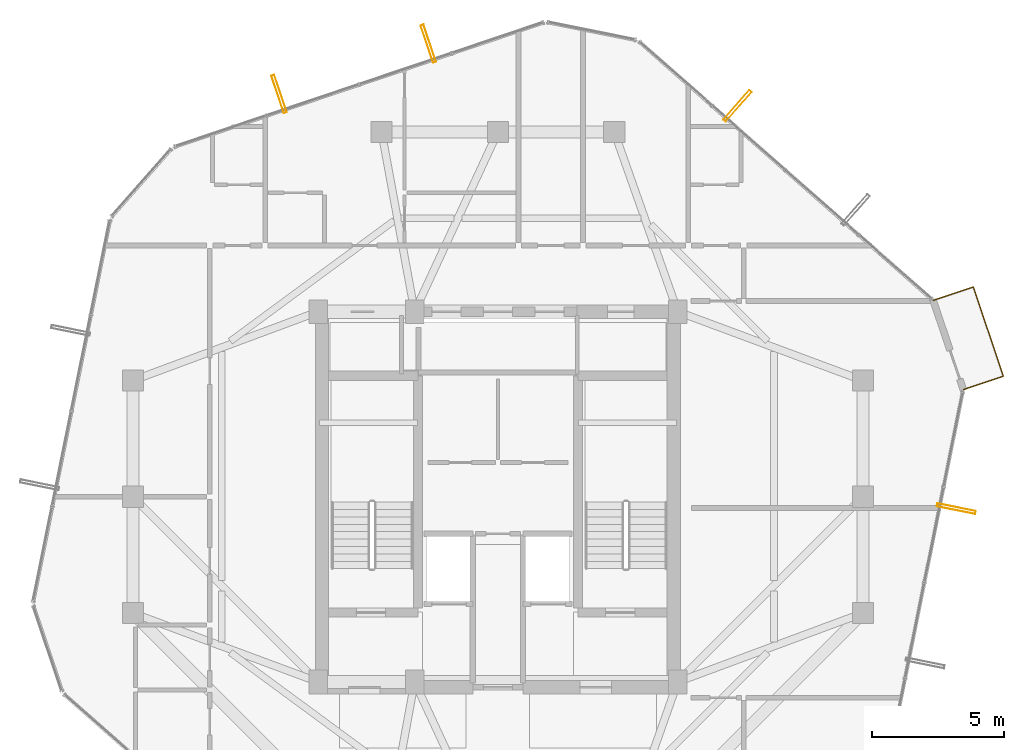
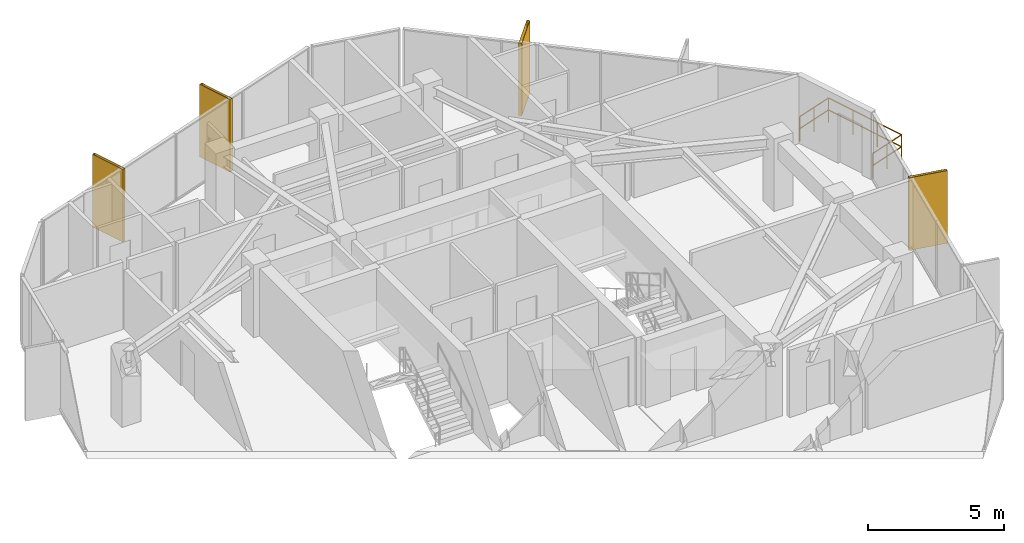
# One storey, part 28 of 28: 4 shading devices, 1 railing.
"""IFC4 building model written with IfcOpenShell, lengths in metres."""

import ifcopenshell
import ifcopenshell.guid

model = None  # the IFC model being written
_history = None  # IfcOwnerHistory: only IFC2X3 demands one
_inside = {}  # id of a spatial element -> (the spatial element, [elements in it])
_under = {}  # id of a project, library or spatial element -> (it, [spatial elements below it])
_declared = {}  # id of a project -> (the project, [libraries it declares])
_typed = {}  # id of a type object -> (the type object, [elements of that type])
_made_of = {}  # id of a material, layer set ... -> (it, [elements and type objects made of it])


def new_model(schema):
    """Start an empty IFC model of exactly this schema.

    Asked for "IFC4X3", IfcOpenShell would pick the latest addendum, in which some entities
    have other attributes; the version numbers below select the first issue.
    IFC2X3 requires an IfcOwnerHistory on every rooted entity: one is made here for all.
    """
    global model, _history
    if schema == "IFC4X3":
        model = ifcopenshell.file(schema_version=(4, 3, 0, 0))
    else:
        model = ifcopenshell.file(schema=schema)
    _inside.clear()
    _under.clear()
    _declared.clear()
    _typed.clear()
    _made_of.clear()
    _history = None
    if model.schema == "IFC2X3":
        org = make("IfcOrganization", Name="unknown")
        user = make(
            "IfcPersonAndOrganization",
            ThePerson=make("IfcPerson", FamilyName="unknown"),
            TheOrganization=org,
        )
        app = make(
            "IfcApplication",
            ApplicationDeveloper=org,
            Version="unknown",
            ApplicationFullName="unknown",
            ApplicationIdentifier="unknown",
        )
        _history = make(
            "IfcOwnerHistory",
            OwningUser=user,
            OwningApplication=app,
            ChangeAction="ADDED",
            CreationDate=0,
        )
    return model


def make(cls, **values):
    """One entity of the class cls with the attributes given. An attribute that is None is left unset."""
    return model.create_entity(
        cls, **{name: value for name, value in values.items() if value is not None}
    )


def rooted(cls, **values):
    """An entity with a GlobalId (a new one), such as an element, a storey or a relation."""
    return make(cls, GlobalId=ifcopenshell.guid.new(), OwnerHistory=_history, **values)


def si_unit(unit_type, name, prefix=None):
    """IfcSIUnit, for example si_unit("LENGTHUNIT", "METRE", prefix="MILLI")."""
    return make("IfcSIUnit", UnitType=unit_type, Prefix=prefix, Name=name)


def assignment(units):
    """IfcUnitAssignment: the units of a project."""
    return None if units is None else make("IfcUnitAssignment", Units=units)


def point(xyz):
    """IfcCartesianPoint."""
    return None if xyz is None else make("IfcCartesianPoint", Coordinates=xyz)


def direction(xyz):
    """IfcDirection."""
    return None if xyz is None else make("IfcDirection", DirectionRatios=xyz)


def frame(location, z_axis=None, x_axis=None):
    """IfcAxis2Placement3D, a coordinate frame: its origin and axes. An axis left out is left unset."""
    return make(
        "IfcAxis2Placement3D",
        Location=point(location),
        Axis=direction(z_axis),
        RefDirection=direction(x_axis),
    )


def frame_2d(location, x_axis=None):
    """IfcAxis2Placement2D, a coordinate frame in the plane: its origin and x axis."""
    return make(
        "IfcAxis2Placement2D", Location=point(location), RefDirection=direction(x_axis)
    )


def origin():
    """The frame at (0, 0, 0) with its axes left unset."""
    return frame((0.0, 0.0, 0.0))


def origin_2d():
    """The frame at (0, 0) in the plane with its x axis left unset."""
    return frame_2d((0.0, 0.0))


def place(relative_to, where):
    """IfcLocalPlacement: puts the frame where relative to a parent placement (None: the world)."""
    return make(
        "IfcLocalPlacement", PlacementRelTo=relative_to, RelativePlacement=where
    )


def context(
    kind, dimensions, precision=None, world=None, true_north=None, identifier=None
):
    """IfcGeometricRepresentationContext, for example the 3D "Model" context."""
    return make(
        "IfcGeometricRepresentationContext",
        ContextIdentifier=identifier,
        ContextType=kind,
        CoordinateSpaceDimension=dimensions,
        Precision=precision,
        WorldCoordinateSystem=world,
        TrueNorth=true_north,
    )


def subcontext(parent, identifier, kind, view, scale=None):
    """IfcGeometricRepresentationSubContext, for example "Body" below "Model"."""
    return make(
        "IfcGeometricRepresentationSubContext",
        ContextIdentifier=identifier,
        ContextType=kind,
        ParentContext=parent,
        TargetScale=scale,
        TargetView=view,
    )


def project(units=None, contexts=None):
    """IfcProject with its units and contexts."""
    return rooted(
        "IfcProject",
        Name="project",
        RepresentationContexts=contexts,
        UnitsInContext=assignment(units),
    )


def spatial(cls, under=None, at=None, **own):
    """A site, building, storey or space (cls), placed at a placement, below another one or the project."""
    s = rooted(cls, ObjectPlacement=at, **own)
    if under is not None:
        _under.setdefault(under.id(), (under, []))[1].append(s)
    return s


def profile(cls, at=None, kind="AREA", **sizes):
    """A parametric profile (cls). Its sizes go by their IFC names, for example OverallWidth=200.0."""
    return make(cls, ProfileType=kind, Position=at, **sizes)


def hollow_rectangle(**sizes):
    """IfcRectangleHollowProfileDef."""
    return profile("IfcRectangleHollowProfileDef", **sizes)


def circle(**sizes):
    """IfcCircleProfileDef."""
    return profile("IfcCircleProfileDef", **sizes)


def extrude(swept, where, along, depth):
    """IfcExtrudedAreaSolid: the profile swept, set in the frame where, extruded along a direction by depth."""
    return make(
        "IfcExtrudedAreaSolid",
        SweptArea=swept,
        Position=where,
        ExtrudedDirection=direction(along),
        Depth=depth,
    )


def shape(context_of_items, identifier, shape_type, items):
    """IfcShapeRepresentation: the items that make up one representation, for example the "Body"."""
    return make(
        "IfcShapeRepresentation",
        ContextOfItems=context_of_items,
        RepresentationIdentifier=identifier,
        RepresentationType=shape_type,
        Items=items,
    )


def material(Name=None, Category=None):
    """IfcMaterial."""
    return make("IfcMaterial", Name=Name, Category=Category)


def material_profile(
    of_material, cross_section, Name=None, Category=None, Priority=None
):
    """IfcMaterialProfile: a cross section and its material."""
    return make(
        "IfcMaterialProfile",
        Name=Name,
        Material=of_material,
        Profile=cross_section,
        Priority=Priority,
        Category=Category,
    )


def profile_set(profiles, Name=None, composite=None):
    """IfcMaterialProfileSet."""
    return make(
        "IfcMaterialProfileSet",
        Name=Name,
        MaterialProfiles=profiles,
        CompositeProfile=composite,
    )


def made_of(thing, what):
    """Note that an element or type object is made of a material, layer set ...; save() writes the relation."""
    if what is not None:
        _made_of.setdefault(what.id(), (what, []))[1].append(thing)
    return thing


def type_object(cls, material=None, **own):
    """A type object (cls), such as IfcWallType, which elements share."""
    return made_of(rooted(cls, **own), material)


def element(
    cls,
    number,
    at=None,
    inside=None,
    cuts=None,
    type_object=None,
    material=None,
    context=None,
    identifier="Body",
    shape_type=None,
    held_by="IfcProductDefinitionShape",
    body=None,
    shapes=None,
    **own,
):
    """One element of the class cls, such as IfcWall. Its Tag is "e" and its number.

    at: its placement. inside: the storey or other place that contains it. cuts: it is an
    opening in that element (IfcRelVoidsElement). A single representation is given by context,
    identifier, shape_type and body (its items); several are given by shapes. held_by: the class
    of the entity that holds the representations. save() writes the other relations.
    """
    e = rooted(cls, Tag="e%d" % number, ObjectPlacement=at, **own)
    if body is not None:
        shapes = [shape(context, identifier, shape_type, body)]
    if shapes is not None:
        e.Representation = make(held_by, Representations=shapes)
    if inside is not None:
        _inside.setdefault(inside.id(), (inside, []))[1].append(e)
    if cuts is not None:
        rooted(
            "IfcRelVoidsElement", RelatingBuildingElement=cuts, RelatedOpeningElement=e
        )
    if type_object is not None:
        _typed.setdefault(type_object.id(), (type_object, []))[1].append(e)
    return made_of(e, material)


def aggregate(whole, parts):
    """IfcRelAggregates: a whole, such as a stair, and the parts it consists of."""
    return rooted("IfcRelAggregates", RelatingObject=whole, RelatedObjects=parts)


def save(model, path):
    """Write the relations noted so far, then the file.

    IfcRelAggregates (storeys below a building ...), IfcRelContainedInSpatialStructure (elements
    in a storey), IfcRelDefinesByType, IfcRelAssociatesMaterial and IfcRelDeclares: one each for
    every whole, place, type object, material and project.
    """
    for whole, parts in _under.values():
        aggregate(whole, parts)
    for where, things in _inside.values():
        rooted(
            "IfcRelContainedInSpatialStructure",
            RelatedElements=things,
            RelatingStructure=where,
        )
    for kind, things in _typed.values():
        rooted("IfcRelDefinesByType", RelatedObjects=things, RelatingType=kind)
    for what, things in _made_of.values():
        rooted("IfcRelAssociatesMaterial", RelatedObjects=things, RelatingMaterial=what)
    for by, libraries in _declared.values():
        rooted("IfcRelDeclares", RelatingContext=by, RelatedDefinitions=libraries)
    model.write(path)


model = new_model("IFC4")

# Units and contexts
model_context = context("Model", 3, precision=1e-05, world=origin(), true_north=direction((0.0, 1.0)))
body_context = subcontext(model_context, "Body", "Model", "MODEL_VIEW")
ifc_project = project(units=[si_unit("LENGTHUNIT", "METRE"), si_unit("AREAUNIT", "SQUARE_METRE"), si_unit("VOLUMEUNIT", "CUBIC_METRE"), si_unit("PLANEANGLEUNIT", "RADIAN"), si_unit("MASSUNIT", "GRAM", prefix="KILO")], contexts=[model_context])

# Site, building, storey
site_placement = place(None, origin())
site = spatial("IfcSite", under=ifc_project, at=site_placement, CompositionType="ELEMENT")
building_placement = place(site_placement, origin())
building = spatial("IfcBuilding", under=site, at=building_placement, Name="Veraguas Prism Commons", CompositionType="ELEMENT")
storey_placement = place(building_placement, frame((0.0, 0.0, 248.0)))
storey = spatial("IfcBuildingStorey", under=building, at=storey_placement, Name="L70", CompositionType="ELEMENT", Elevation=248.0)

# Shading devices
ifc_material_1 = material(Name="Anodised aluminium EN AW-6063 T6", Category="aluminium")
ifc_material_profile = material_profile(ifc_material_1, hollow_rectangle(XDim=0.1201171875, YDim=1.489990234375, WallThickness=0.006103515625, at=origin_2d()), Name="FIN120X1490X6")
ifc_profile_set = profile_set([ifc_material_profile], Name="Anodised aluminium EN AW-6063 T6")
shading_device_type = type_object("IfcShadingDeviceType", Name="Deep Pale-Metal Vertical Solar Fin 120x1490", PredefinedType="USERDEFINED", material=ifc_profile_set)
for number, where, z_axis, x_axis, name in (
    (1, (33.056396484375, 38.78369140625, -0.215087890625), (0.0, 0.0, 1.0), (-0.75034417281, 0.66104736769, 0.0), "Vertical Pale-Metal Solar Fin L70-F1B"),
    (2, (21.3681640625, 41.135986328125, -0.215087890625), (0.0, 0.0, 1.0), (-0.947658128995, -0.319286815496, 0.0), "Vertical Pale-Metal Solar Fin L70-F2A"),
    (3, (15.725341796875, 39.23486328125, -0.215087890625), (0.0, 0.0, 1.0), (-0.947658128995, -0.319286815496, 0.0), "Vertical Pale-Metal Solar Fin L70-F2B"),
    (4, (41.3310546875, 23.548583984375, -0.215087890625), (0.0, 0.0, 1.0), (0.197315149153, 0.980340110326, 0.0), "Vertical Pale-Metal Solar Fin L70-F6B"),
):
    element("IfcShadingDevice", number, at=place(storey_placement, frame(where, z_axis=z_axis, x_axis=x_axis)), inside=storey, type_object=shading_device_type, Name=name, ObjectType="FIN", PredefinedType="USERDEFINED", context=body_context, shape_type="SweptSolid", body=[
        extrude(hollow_rectangle(XDim=0.1201171875, YDim=1.489990234375, WallThickness=0.006103515625, at=origin_2d()), origin(), (0.0, 0.0, 1.0), 3.25),
    ])

# Railing
ifc_material_2 = material(Name="Stainless steel AISI 316", Category="steel")
railing_type = type_object("IfcRailingType", Name="Loggia and Sky Pool Glazed Balustrade 1120", PredefinedType="BALUSTRADE", material=ifc_material_2)
railing_placement = place(storey_placement, frame((41.599609375, 28.050048828125, 0.0)))
element("IfcRailing", 5, at=railing_placement, inside=storey, type_object=railing_type, Name="Recessed Corner Loggia L70-C1 Guard", PredefinedType="BALUSTRADE", context=body_context, shape_type="SweptSolid", body=[
    extrude(circle(Radius=0.02392578125, at=origin_2d()), frame((0.0, 0.0, 1.09619140625), z_axis=(0.947686849206, 0.3192015599, 0.0), x_axis=(-0.3192015599, 0.947686849206, 0.0)), (0.0, 0.0, 1.0), 1.60009765625),
    extrude(circle(Radius=0.02392578125, at=origin_2d()), frame((0.0, 0.0, 0.56005859375), z_axis=(0.947686849206, 0.3192015599, 0.0), x_axis=(-0.3192015599, 0.947686849206, 0.0)), (0.0, 0.0, 1.0), 1.60009765625),
    extrude(circle(Radius=0.02392578125, at=origin_2d()), frame((1.516357421875, 0.5107421875, 1.09619140625), z_axis=(-0.319268752345, 0.947664214675, 0.0), x_axis=(-0.947664214675, -0.319268752345, 0.0)), (0.0, 0.0, 1.0), 3.562744140625),
    extrude(circle(Radius=0.02392578125, at=origin_2d()), frame((1.516357421875, 0.5107421875, 0.56005859375), z_axis=(-0.319268752345, 0.947664214675, 0.0), x_axis=(-0.947664214675, -0.319268752345, 0.0)), (0.0, 0.0, 1.0), 3.562744140625),
    extrude(circle(Radius=0.02392578125, at=origin_2d()), frame((0.37890625, 3.886962890625, 1.09619140625), z_axis=(-0.947686849206, -0.3192015599, 0.0), x_axis=(0.3192015599, -0.947686849206, 0.0)), (0.0, 0.0, 1.0), 1.60009765625),
    extrude(circle(Radius=0.02392578125, at=origin_2d()), frame((0.37890625, 3.886962890625, 0.56005859375), z_axis=(-0.947686849206, -0.3192015599, 0.0), x_axis=(0.3192015599, -0.947686849206, 0.0)), (0.0, 0.0, 1.0), 1.60009765625),
    extrude(circle(Radius=0.02099609375, at=origin_2d()), origin(), (0.0, 0.0, 1.0), 1.072021484375),
    extrude(circle(Radius=0.02099609375, at=origin_2d()), frame((0.75830078125, 0.25537109375, 0.0)), (0.0, 0.0, 1.0), 1.072021484375),
    extrude(circle(Radius=0.02099609375, at=origin_2d()), frame((1.516357421875, 0.5107421875, 0.0)), (0.0, 0.0, 1.0), 1.072021484375),
    extrude(circle(Radius=0.02099609375, at=origin_2d()), frame((1.13720703125, 1.63623046875, 0.0)), (0.0, 0.0, 1.0), 1.072021484375),
    extrude(circle(Radius=0.02099609375, at=origin_2d()), frame((0.758056640625, 2.761474609375, 0.0)), (0.0, 0.0, 1.0), 1.072021484375),
    extrude(circle(Radius=0.02099609375, at=origin_2d()), frame((0.37890625, 3.886962890625, 0.0)), (0.0, 0.0, 1.0), 1.072021484375),
    extrude(circle(Radius=0.02099609375, at=origin_2d()), frame((-0.37939453125, 3.631591796875, 0.0)), (0.0, 0.0, 1.0), 1.072021484375),
    extrude(circle(Radius=0.02099609375, at=origin_2d()), frame((-1.137451171875, 3.376220703125, 0.0)), (0.0, 0.0, 1.0), 1.072021484375),
])

save(model, "model.ifc")
